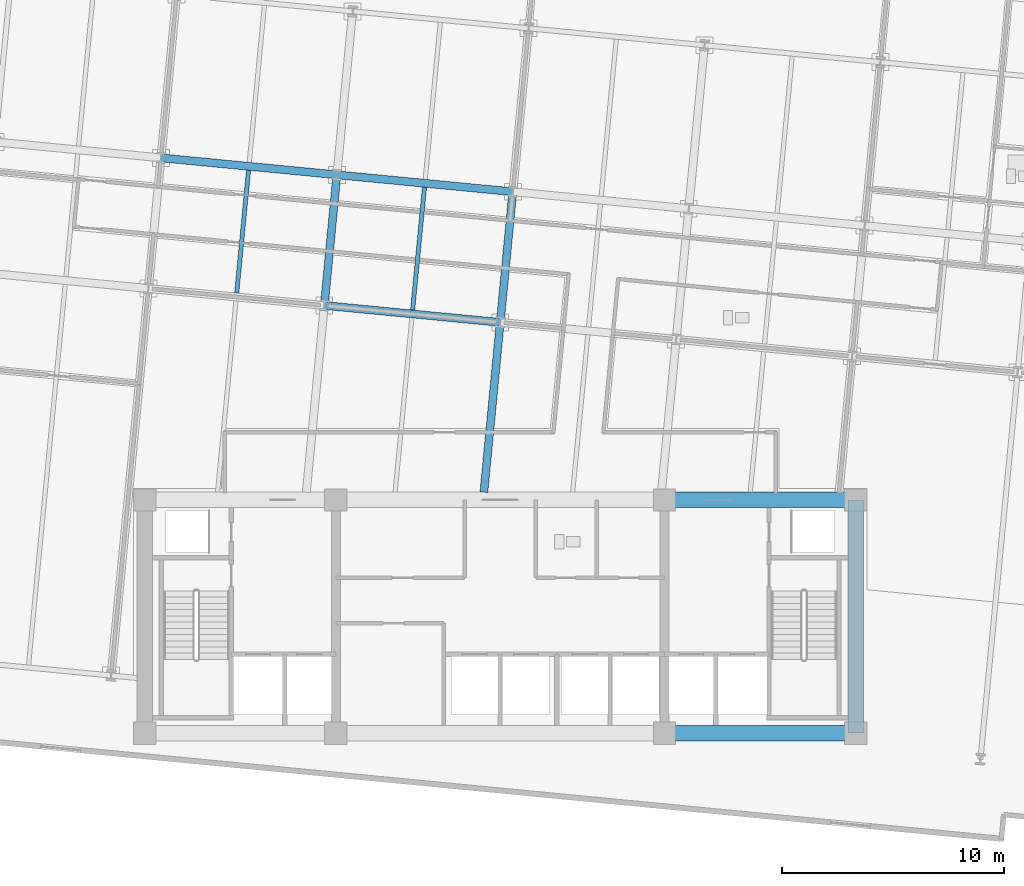
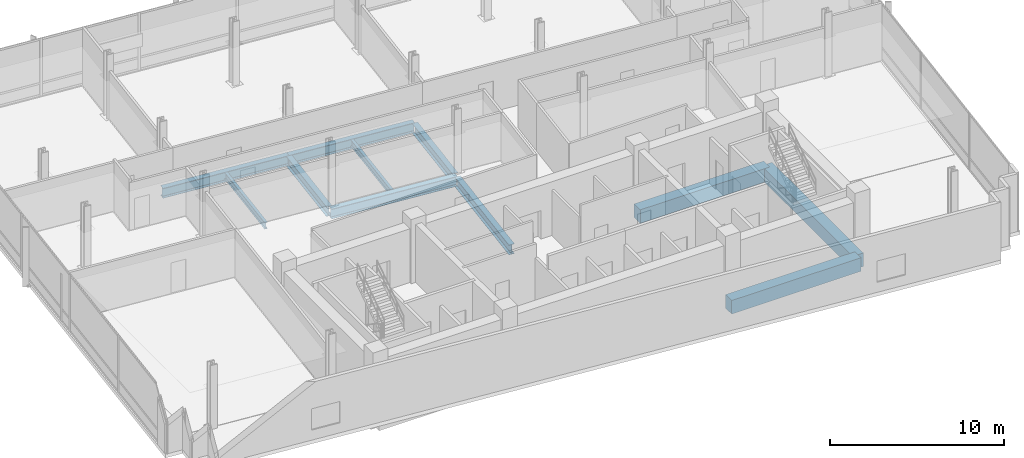
# One storey, part 5 of 17: 11 beams.
"""IFC4 building model written with IfcOpenShell, lengths in metres."""

from ifc_helpers import new_model, si_unit, direction, frame, origin, origin_2d, place, context, subcontext, project, spatial, rectangle, i_section, extrude, material, material_profile, profile_set, type_object, element, save


model = new_model("IFC4")

# Units and contexts
model_context = context("Model", 3, precision=1e-05, world=origin(), true_north=direction((0.0, 1.0)))
body_context = subcontext(model_context, "Body", "Model", "MODEL_VIEW")
ifc_project = project(units=[si_unit("LENGTHUNIT", "METRE"), si_unit("AREAUNIT", "SQUARE_METRE"), si_unit("VOLUMEUNIT", "CUBIC_METRE"), si_unit("PLANEANGLEUNIT", "RADIAN"), si_unit("MASSUNIT", "GRAM", prefix="KILO")], contexts=[model_context])

# Site, building, storey
site_placement = place(None, origin())
site = spatial("IfcSite", under=ifc_project, at=site_placement, CompositionType="ELEMENT")
building_placement = place(site_placement, origin())
building = spatial("IfcBuilding", under=site, at=building_placement, Name="Solmavex Isthmus Hotel", CompositionType="ELEMENT")
storey_placement = place(building_placement, frame((0.0, 0.0, 181.800048828125)))
storey = spatial("IfcBuildingStorey", under=building, at=storey_placement, Name="L49", CompositionType="ELEMENT", Elevation=181.800048828125)

# Beams
ifc_material_1 = material(Name="Steel ASTM A992 Grade 50", Category="steel")
ifc_material_profile_1 = material_profile(ifc_material_1, i_section(OverallWidth=0.354736328125, OverallDepth=0.695556640625, WebThickness=0.015380859375, FlangeThickness=0.02490234375, FilletRadius=0.017822265625, at=origin_2d()), Name="W27X146")
ifc_profile_set_1 = profile_set([ifc_material_profile_1], Name="Steel ASTM A992 Grade 50")
beam_type_1 = type_object("IfcBeamType", Name="BM-BG-W27X146", PredefinedType="BEAM", material=ifc_profile_set_1)
for number, where, z_axis, x_axis, name in (
    (1, (-7.918212890625, 6.2529296875, -0.60791015625), (0.995394512348, -0.095863260885, 0.0), (0.095863260885, 0.995394512348, 0.0), "Floor Girder L49-UG05"),
    (2, (-15.271240234375, 12.896240234375, -0.60791015625), (0.995397440011, -0.095832856685, 0.0), (0.095832856685, 0.995397440011, 0.0), "Floor Girder L49-UG10"),
    (3, (-7.351806640625, 12.1337890625, -0.60791015625), (0.995394512348, -0.095863260885, 0.0), (0.095863260885, 0.995394512348, 0.0), "Floor Girder L49-UG11"),
):
    element("IfcBeam", number, at=place(storey_placement, frame(where, z_axis=z_axis, x_axis=x_axis)), inside=storey, type_object=beam_type_1, Name=name, PredefinedType="BEAM", context=body_context, shape_type="SweptSolid", body=[
        extrude(i_section(OverallWidth=0.354736328125, OverallDepth=0.695556640625, WebThickness=0.015380859375, FlangeThickness=0.02490234375, FilletRadius=0.017822265625, at=origin_2d()), origin(), (0.0, 0.0, 1.0), 7.9560546875),
    ])
beam_1_placement = place(storey_placement, frame((-7.901123046875, 6.429443359375, -0.60791015625), z_axis=(0.095842252862, 0.99539653534, 0.0), x_axis=(-0.99539653534, 0.095842252862, 0.0)))
element("IfcBeam", 4, at=beam_1_placement, inside=storey, type_object=beam_type_1, Name="Floor Beam L49-VG28", PredefinedType="BEAM", context=body_context, shape_type="SweptSolid", body=[
    extrude(i_section(OverallWidth=0.354736328125, OverallDepth=0.695556640625, WebThickness=0.015380859375, FlangeThickness=0.02490234375, FilletRadius=0.017822265625, at=origin_2d()), origin(), (0.0, 0.0, 1.0), 5.55322265625),
])
beam_2_placement = place(storey_placement, frame((-0.734375, -2.14990234375, -0.60791015625), z_axis=(0.095856963455, 0.995395118813, 0.0), x_axis=(-0.995395118813, 0.095856963455, 0.0)))
element("IfcBeam", 5, at=beam_2_placement, inside=storey, type_object=beam_type_1, Name="Floor Beam L49-VG30", PredefinedType="BEAM", context=body_context, shape_type="SweptSolid", body=[
    extrude(i_section(OverallWidth=0.354736328125, OverallDepth=0.695556640625, WebThickness=0.015380859375, FlangeThickness=0.02490234375, FilletRadius=0.017822265625, at=origin_2d()), origin(), (0.0, 0.0, 1.0), 7.498046875),
])
beam_3_placement = place(storey_placement, frame((0.018310546875, 5.6669921875, -0.60791015625), z_axis=(0.095842252862, 0.99539653534, 0.0), x_axis=(-0.99539653534, 0.095842252862, 0.0)))
element("IfcBeam", 6, at=beam_3_placement, inside=storey, type_object=beam_type_1, Name="Floor Beam L49-VG31", PredefinedType="BEAM", context=body_context, shape_type="SweptSolid", body=[
    extrude(i_section(OverallWidth=0.354736328125, OverallDepth=0.695556640625, WebThickness=0.015380859375, FlangeThickness=0.02490234375, FilletRadius=0.017822265625, at=origin_2d()), origin(), (0.0, 0.0, 1.0), 5.55322265625),
])
ifc_material_profile_2 = material_profile(ifc_material_1, i_section(OverallWidth=0.1904296875, OverallDepth=0.456787109375, WebThickness=0.009033203125, FlangeThickness=0.014404296875, FilletRadius=0.0126953125, at=origin_2d()), Name="W18X50")
ifc_profile_set_2 = profile_set([ifc_material_profile_2], Name="Steel ASTM A992 Grade 50")
beam_type_2 = type_object("IfcBeamType", Name="BM-BJ-W18X50", PredefinedType="JOIST", material=ifc_profile_set_2)
beam_4_placement = place(storey_placement, frame((-11.86083984375, 6.810791015625, -0.488525390625), z_axis=(0.095842252862, 0.99539653534, 0.0), x_axis=(-0.99539653534, 0.095842252862, 0.0)))
element("IfcBeam", 7, at=beam_4_placement, inside=storey, type_object=beam_type_2, Name="Secondary Floor Joist L49-J05", PredefinedType="JOIST", context=body_context, shape_type="SweptSolid", body=[
    extrude(i_section(OverallWidth=0.1904296875, OverallDepth=0.456787109375, WebThickness=0.009033203125, FlangeThickness=0.014404296875, FilletRadius=0.0126953125, at=origin_2d()), origin(), (0.0, 0.0, 1.0), 5.55322265625),
])
beam_5_placement = place(storey_placement, frame((-3.94140625, 6.048095703125, -0.488525390625), z_axis=(0.095838058801, 0.995396939158, 0.0), x_axis=(-0.995396939158, 0.095838058801, 0.0)))
element("IfcBeam", 8, at=beam_5_placement, inside=storey, type_object=beam_type_2, Name="Secondary Floor Joist L49-J08", PredefinedType="JOIST", context=body_context, shape_type="SweptSolid", body=[
    extrude(i_section(OverallWidth=0.1904296875, OverallDepth=0.456787109375, WebThickness=0.009033203125, FlangeThickness=0.014404296875, FilletRadius=0.0126953125, at=origin_2d()), origin(), (0.0, 0.0, 1.0), 5.553466796875),
])
ifc_material_2 = material(Name="Concrete C60/75", Category="concrete")
ifc_material_profile_3 = material_profile(ifc_material_2, rectangle(XDim=0.699951171875, YDim=0.949951171875, at=origin_2d()), Name="RC700X950")
ifc_profile_set_3 = profile_set([ifc_material_profile_3], Name="Concrete C60/75")
beam_type_3 = type_object("IfcBeamType", Name="BM-CB-700X950", PredefinedType="BEAM", material=ifc_profile_set_3)
for number, where, z_axis, x_axis, name in (
    (9, (7.39990234375, -13.0, -0.735107421875), (1.0, 0.0, 0.0), (0.0, 1.0, 0.0), "Core Coupling Beam L49-CB3"),
    (10, (7.39990234375, -2.5, -0.735107421875), (1.0, 0.0, 0.0), (0.0, 1.0, 0.0), "Core Coupling Beam L49-CB6"),
):
    element("IfcBeam", number, at=place(storey_placement, frame(where, z_axis=z_axis, x_axis=x_axis)), inside=storey, type_object=beam_type_3, Name=name, PredefinedType="BEAM", context=body_context, shape_type="SweptSolid", body=[
        extrude(rectangle(XDim=0.699951171875, YDim=0.949951171875, at=origin_2d()), origin(), (0.0, 0.0, 1.0), 8.60009765625),
    ])
beam_6_placement = place(storey_placement, frame((16.0, -13.0, -0.735107421875), z_axis=(0.0, 1.0, 0.0), x_axis=(-1.0, 0.0, 0.0)))
element("IfcBeam", 11, at=beam_6_placement, inside=storey, type_object=beam_type_3, Name="Core Coupling Beam L49-CB8", PredefinedType="BEAM", context=body_context, shape_type="SweptSolid", body=[
    extrude(rectangle(XDim=0.699951171875, YDim=0.949951171875, at=origin_2d()), origin(), (0.0, 0.0, 1.0), 10.5),
])

save(model, "model.ifc")
